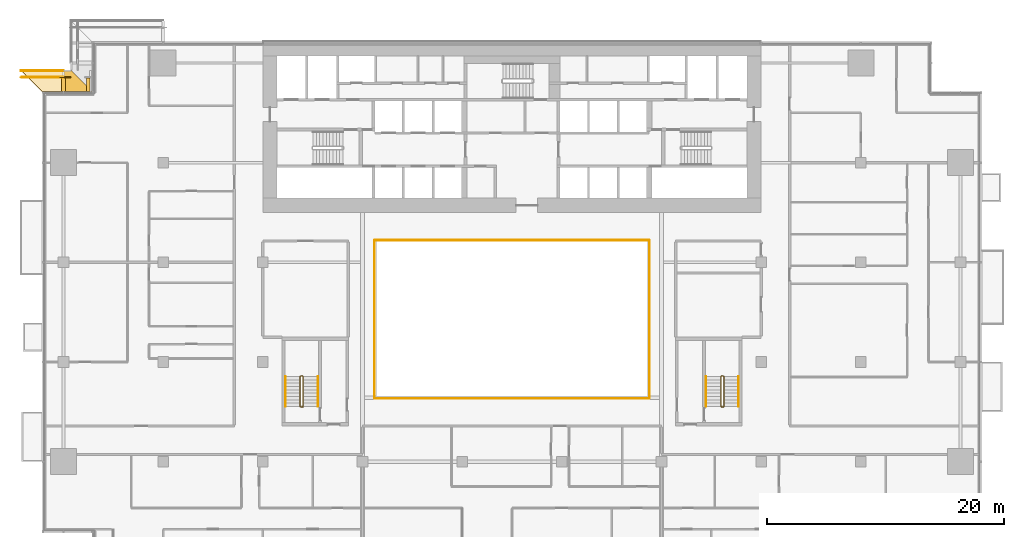
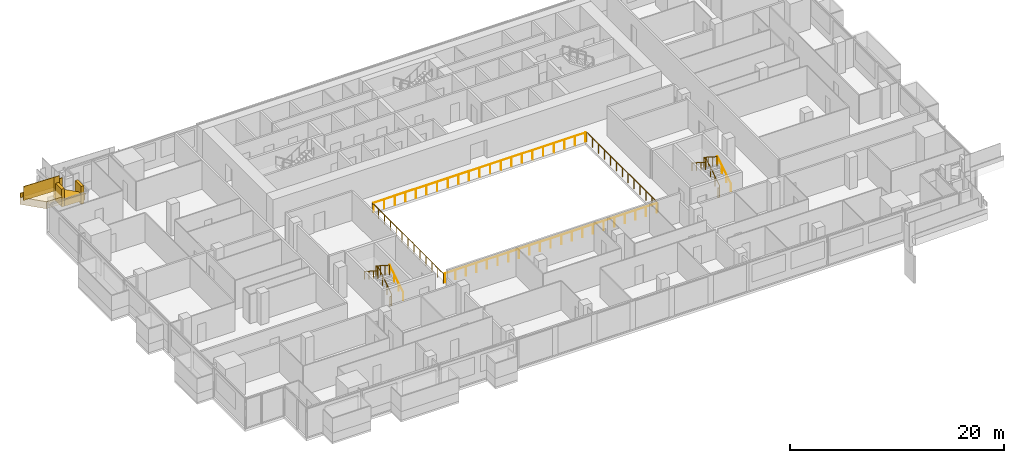
# One storey, part 25 of 29: 13 railings, 5 coverings.
"""IFC4 building model written with IfcOpenShell, lengths in metres."""

from ifc_helpers import new_model, si_unit, direction, frame, origin, origin_2d, place, context, subcontext, project, spatial, polyline, rectangle, circle, outline, extrude, material, layer, layer_set, type_object, element, save


model = new_model("IFC4")

# Units and contexts
model_context = context("Model", 3, precision=1e-05, world=origin(), true_north=direction((0.0, 1.0)))
body_context = subcontext(model_context, "Body", "Model", "MODEL_VIEW")
ifc_project = project(units=[si_unit("LENGTHUNIT", "METRE"), si_unit("AREAUNIT", "SQUARE_METRE"), si_unit("VOLUMEUNIT", "CUBIC_METRE"), si_unit("PLANEANGLEUNIT", "RADIAN"), si_unit("MASSUNIT", "GRAM", prefix="KILO")], contexts=[model_context])

# Site, building, storey
site_placement = place(None, origin())
site = spatial("IfcSite", under=ifc_project, at=site_placement, CompositionType="ELEMENT")
building_placement = place(site_placement, origin())
building = spatial("IfcBuilding", under=site, at=building_placement, Name="Saffron Gate Tower", CompositionType="ELEMENT")
storey_placement = place(building_placement, frame((0.0, 0.0, 48.0)))
storey = spatial("IfcBuildingStorey", under=building, at=storey_placement, Name="L10", CompositionType="ELEMENT", Elevation=48.0)

# Railings
ifc_material_1 = material(Name="Stainless steel and laminated glass", Category="steel")
railing_type_1 = type_object("IfcRailingType", Name="AG1 Atrium edge guard 1100", PredefinedType="GUARDRAIL", material=ifc_material_1)
railing_1_placement = place(storey_placement, frame((76.02001953125, 45.5400390625, 0.0)))
element("IfcRailing", 1, at=railing_1_placement, inside=storey, type_object=railing_type_1, Name="Guard A2-1", PredefinedType="GUARDRAIL", context=body_context, shape_type="SweptSolid", body=[
    extrude(circle(Radius=0.02392578125, at=origin_2d()), frame((0.0, 0.0, 1.076171875), z_axis=(0.0, 1.0, 0.0), x_axis=(-1.0, 0.0, 0.0)), (0.0, 0.0, 1.0), 13.320068359375),
    extrude(circle(Radius=0.02099609375, at=origin_2d()), origin(), (0.0, 0.0, 1.0), 1.052001953125),
    extrude(circle(Radius=0.02099609375, at=origin_2d()), frame((0.0, 1.110107421875, 0.0)), (0.0, 0.0, 1.0), 1.052001953125),
    extrude(circle(Radius=0.02099609375, at=origin_2d()), frame((0.0, 2.219970703125, 0.0)), (0.0, 0.0, 1.0), 1.052001953125),
    extrude(circle(Radius=0.02099609375, at=origin_2d()), frame((0.0, 3.330078125, 0.0)), (0.0, 0.0, 1.0), 1.052001953125),
    extrude(circle(Radius=0.02099609375, at=origin_2d()), frame((0.0, 4.43994140625, 0.0)), (0.0, 0.0, 1.0), 1.052001953125),
    extrude(circle(Radius=0.02099609375, at=origin_2d()), frame((0.0, 5.550048828125, 0.0)), (0.0, 0.0, 1.0), 1.052001953125),
    extrude(circle(Radius=0.02099609375, at=origin_2d()), frame((0.0, 6.66015625, 0.0)), (0.0, 0.0, 1.0), 1.052001953125),
    extrude(circle(Radius=0.02099609375, at=origin_2d()), frame((0.0, 7.77001953125, 0.0)), (0.0, 0.0, 1.0), 1.052001953125),
    extrude(circle(Radius=0.02099609375, at=origin_2d()), frame((0.0, 8.880126953125, 0.0)), (0.0, 0.0, 1.0), 1.052001953125),
    extrude(circle(Radius=0.02099609375, at=origin_2d()), frame((0.0, 9.989990234375, 0.0)), (0.0, 0.0, 1.0), 1.052001953125),
    extrude(circle(Radius=0.02099609375, at=origin_2d()), frame((0.0, 11.10009765625, 0.0)), (0.0, 0.0, 1.0), 1.052001953125),
    extrude(circle(Radius=0.02099609375, at=origin_2d()), frame((0.0, 12.2099609375, 0.0)), (0.0, 0.0, 1.0), 1.052001953125),
    extrude(circle(Radius=0.02099609375, at=origin_2d()), frame((0.0, 13.320068359375, 0.0)), (0.0, 0.0, 1.0), 1.052001953125),
])
railing_2_placement = place(storey_placement, frame((76.139892578125, 58.860107421875, 0.0)))
element("IfcRailing", 2, at=railing_2_placement, inside=storey, type_object=railing_type_1, Name="Guard A2-2", PredefinedType="GUARDRAIL", context=body_context, shape_type="SweptSolid", body=[
    extrude(circle(Radius=0.02392578125, at=origin_2d()), frame((0.0, 0.0, 1.076171875), z_axis=(1.0, 0.0, 0.0), x_axis=(0.0, 1.0, 0.0)), (0.0, 0.0, 1.0), 22.920166015625),
    extrude(circle(Radius=0.02099609375, at=origin_2d()), origin(), (0.0, 0.0, 1.0), 1.052001953125),
    extrude(circle(Radius=0.02099609375, at=origin_2d()), frame((1.14599609375, 0.0, 0.0)), (0.0, 0.0, 1.0), 1.052001953125),
    extrude(circle(Radius=0.02099609375, at=origin_2d()), frame((2.2919921875, 0.0, 0.0)), (0.0, 0.0, 1.0), 1.052001953125),
    extrude(circle(Radius=0.02099609375, at=origin_2d()), frame((3.43798828125, 0.0, 0.0)), (0.0, 0.0, 1.0), 1.052001953125),
    extrude(circle(Radius=0.02099609375, at=origin_2d()), frame((4.583984375, 0.0, 0.0)), (0.0, 0.0, 1.0), 1.052001953125),
    extrude(circle(Radius=0.02099609375, at=origin_2d()), frame((5.72998046875, 0.0, 0.0)), (0.0, 0.0, 1.0), 1.052001953125),
    extrude(circle(Radius=0.02099609375, at=origin_2d()), frame((6.8759765625, 0.0, 0.0)), (0.0, 0.0, 1.0), 1.052001953125),
    extrude(circle(Radius=0.02099609375, at=origin_2d()), frame((8.02197265625, 0.0, 0.0)), (0.0, 0.0, 1.0), 1.052001953125),
    extrude(circle(Radius=0.02099609375, at=origin_2d()), frame((9.16796875, 0.0, 0.0)), (0.0, 0.0, 1.0), 1.052001953125),
    extrude(circle(Radius=0.02099609375, at=origin_2d()), frame((10.31396484375, 0.0, 0.0)), (0.0, 0.0, 1.0), 1.052001953125),
    extrude(circle(Radius=0.02099609375, at=origin_2d()), frame((11.4599609375, 0.0, 0.0)), (0.0, 0.0, 1.0), 1.052001953125),
    extrude(circle(Radius=0.02099609375, at=origin_2d()), frame((12.606201171875, 0.0, 0.0)), (0.0, 0.0, 1.0), 1.052001953125),
    extrude(circle(Radius=0.02099609375, at=origin_2d()), frame((13.752197265625, 0.0, 0.0)), (0.0, 0.0, 1.0), 1.052001953125),
    extrude(circle(Radius=0.02099609375, at=origin_2d()), frame((14.898193359375, 0.0, 0.0)), (0.0, 0.0, 1.0), 1.052001953125),
    extrude(circle(Radius=0.02099609375, at=origin_2d()), frame((16.044189453125, 0.0, 0.0)), (0.0, 0.0, 1.0), 1.052001953125),
    extrude(circle(Radius=0.02099609375, at=origin_2d()), frame((17.190185546875, 0.0, 0.0)), (0.0, 0.0, 1.0), 1.052001953125),
    extrude(circle(Radius=0.02099609375, at=origin_2d()), frame((18.336181640625, 0.0, 0.0)), (0.0, 0.0, 1.0), 1.052001953125),
    extrude(circle(Radius=0.02099609375, at=origin_2d()), frame((19.482177734375, 0.0, 0.0)), (0.0, 0.0, 1.0), 1.052001953125),
    extrude(circle(Radius=0.02099609375, at=origin_2d()), frame((20.628173828125, 0.0, 0.0)), (0.0, 0.0, 1.0), 1.052001953125),
    extrude(circle(Radius=0.02099609375, at=origin_2d()), frame((21.774169921875, 0.0, 0.0)), (0.0, 0.0, 1.0), 1.052001953125),
    extrude(circle(Radius=0.02099609375, at=origin_2d()), frame((22.920166015625, 0.0, 0.0)), (0.0, 0.0, 1.0), 1.052001953125),
])
railing_3_placement = place(storey_placement, frame((99.179931640625, 58.860107421875, 0.0)))
element("IfcRailing", 3, at=railing_3_placement, inside=storey, type_object=railing_type_1, Name="Guard A2-3", PredefinedType="GUARDRAIL", context=body_context, shape_type="SweptSolid", body=[
    extrude(circle(Radius=0.02392578125, at=origin_2d()), frame((0.0, 0.0, 1.076171875), z_axis=(0.0, -1.0, 0.0), x_axis=(1.0, 0.0, 0.0)), (0.0, 0.0, 1.0), 13.320068359375),
    extrude(circle(Radius=0.02099609375, at=origin_2d()), origin(), (0.0, 0.0, 1.0), 1.052001953125),
    extrude(circle(Radius=0.02099609375, at=origin_2d()), frame((0.0, -1.110107421875, 0.0)), (0.0, 0.0, 1.0), 1.052001953125),
    extrude(circle(Radius=0.02099609375, at=origin_2d()), frame((0.0, -2.219970703125, 0.0)), (0.0, 0.0, 1.0), 1.052001953125),
    extrude(circle(Radius=0.02099609375, at=origin_2d()), frame((0.0, -3.330078125, 0.0)), (0.0, 0.0, 1.0), 1.052001953125),
    extrude(circle(Radius=0.02099609375, at=origin_2d()), frame((0.0, -4.43994140625, 0.0)), (0.0, 0.0, 1.0), 1.052001953125),
    extrude(circle(Radius=0.02099609375, at=origin_2d()), frame((0.0, -5.550048828125, 0.0)), (0.0, 0.0, 1.0), 1.052001953125),
    extrude(circle(Radius=0.02099609375, at=origin_2d()), frame((0.0, -6.66015625, 0.0)), (0.0, 0.0, 1.0), 1.052001953125),
    extrude(circle(Radius=0.02099609375, at=origin_2d()), frame((0.0, -7.77001953125, 0.0)), (0.0, 0.0, 1.0), 1.052001953125),
    extrude(circle(Radius=0.02099609375, at=origin_2d()), frame((0.0, -8.880126953125, 0.0)), (0.0, 0.0, 1.0), 1.052001953125),
    extrude(circle(Radius=0.02099609375, at=origin_2d()), frame((0.0, -9.989990234375, 0.0)), (0.0, 0.0, 1.0), 1.052001953125),
    extrude(circle(Radius=0.02099609375, at=origin_2d()), frame((0.0, -11.10009765625, 0.0)), (0.0, 0.0, 1.0), 1.052001953125),
    extrude(circle(Radius=0.02099609375, at=origin_2d()), frame((0.0, -12.2099609375, 0.0)), (0.0, 0.0, 1.0), 1.052001953125),
    extrude(circle(Radius=0.02099609375, at=origin_2d()), frame((0.0, -13.320068359375, 0.0)), (0.0, 0.0, 1.0), 1.052001953125),
])
railing_4_placement = place(storey_placement, frame((99.06005859375, 45.5400390625, 0.0)))
element("IfcRailing", 4, at=railing_4_placement, inside=storey, type_object=railing_type_1, Name="Guard A2-4", PredefinedType="GUARDRAIL", context=body_context, shape_type="SweptSolid", body=[
    extrude(circle(Radius=0.02392578125, at=origin_2d()), frame((0.0, 0.0, 1.076171875), z_axis=(-1.0, 0.0, 0.0), x_axis=(0.0, -1.0, 0.0)), (0.0, 0.0, 1.0), 22.920166015625),
    extrude(circle(Radius=0.02099609375, at=origin_2d()), origin(), (0.0, 0.0, 1.0), 1.052001953125),
    extrude(circle(Radius=0.02099609375, at=origin_2d()), frame((-1.14599609375, 0.0, 0.0)), (0.0, 0.0, 1.0), 1.052001953125),
    extrude(circle(Radius=0.02099609375, at=origin_2d()), frame((-2.2919921875, 0.0, 0.0)), (0.0, 0.0, 1.0), 1.052001953125),
    extrude(circle(Radius=0.02099609375, at=origin_2d()), frame((-3.43798828125, 0.0, 0.0)), (0.0, 0.0, 1.0), 1.052001953125),
    extrude(circle(Radius=0.02099609375, at=origin_2d()), frame((-4.583984375, 0.0, 0.0)), (0.0, 0.0, 1.0), 1.052001953125),
    extrude(circle(Radius=0.02099609375, at=origin_2d()), frame((-5.72998046875, 0.0, 0.0)), (0.0, 0.0, 1.0), 1.052001953125),
    extrude(circle(Radius=0.02099609375, at=origin_2d()), frame((-6.8759765625, 0.0, 0.0)), (0.0, 0.0, 1.0), 1.052001953125),
    extrude(circle(Radius=0.02099609375, at=origin_2d()), frame((-8.02197265625, 0.0, 0.0)), (0.0, 0.0, 1.0), 1.052001953125),
    extrude(circle(Radius=0.02099609375, at=origin_2d()), frame((-9.16796875, 0.0, 0.0)), (0.0, 0.0, 1.0), 1.052001953125),
    extrude(circle(Radius=0.02099609375, at=origin_2d()), frame((-10.31396484375, 0.0, 0.0)), (0.0, 0.0, 1.0), 1.052001953125),
    extrude(circle(Radius=0.02099609375, at=origin_2d()), frame((-11.4599609375, 0.0, 0.0)), (0.0, 0.0, 1.0), 1.052001953125),
    extrude(circle(Radius=0.02099609375, at=origin_2d()), frame((-12.606201171875, 0.0, 0.0)), (0.0, 0.0, 1.0), 1.052001953125),
    extrude(circle(Radius=0.02099609375, at=origin_2d()), frame((-13.752197265625, 0.0, 0.0)), (0.0, 0.0, 1.0), 1.052001953125),
    extrude(circle(Radius=0.02099609375, at=origin_2d()), frame((-14.898193359375, 0.0, 0.0)), (0.0, 0.0, 1.0), 1.052001953125),
    extrude(circle(Radius=0.02099609375, at=origin_2d()), frame((-16.044189453125, 0.0, 0.0)), (0.0, 0.0, 1.0), 1.052001953125),
    extrude(circle(Radius=0.02099609375, at=origin_2d()), frame((-17.190185546875, 0.0, 0.0)), (0.0, 0.0, 1.0), 1.052001953125),
    extrude(circle(Radius=0.02099609375, at=origin_2d()), frame((-18.336181640625, 0.0, 0.0)), (0.0, 0.0, 1.0), 1.052001953125),
    extrude(circle(Radius=0.02099609375, at=origin_2d()), frame((-19.482177734375, 0.0, 0.0)), (0.0, 0.0, 1.0), 1.052001953125),
    extrude(circle(Radius=0.02099609375, at=origin_2d()), frame((-20.628173828125, 0.0, 0.0)), (0.0, 0.0, 1.0), 1.052001953125),
    extrude(circle(Radius=0.02099609375, at=origin_2d()), frame((-21.774169921875, 0.0, 0.0)), (0.0, 0.0, 1.0), 1.052001953125),
    extrude(circle(Radius=0.02099609375, at=origin_2d()), frame((-22.920166015625, 0.0, 0.0)), (0.0, 0.0, 1.0), 1.052001953125),
])
railing_type_2 = type_object("IfcRailingType", Name="CR1 Stair guard 1100", PredefinedType="GUARDRAIL", material=ifc_material_1)
railing_5_placement = place(storey_placement, frame((69.800048828125, 44.800048828125, 0.0)))
element("IfcRailing", 5, at=railing_5_placement, inside=storey, type_object=railing_type_2, Name="L10 ST-D stair guard 1", PredefinedType="GUARDRAIL", context=body_context, shape_type="SweptSolid", body=[
    extrude(circle(Radius=0.02392578125, at=origin_2d()), frame((0.0, 0.0, 1.076171875), z_axis=(1.0, 0.0, 0.0), x_axis=(0.0, 1.0, 0.0)), (0.0, 0.0, 1.0), 0.14990234375),
    extrude(circle(Radius=0.02392578125, at=origin_2d()), frame((0.14990234375, 0.0, 1.076171875), z_axis=(0.258847668887, 0.258847668887, 0.930588936439), x_axis=(-0.707106781187, 0.707106781187, 0.0)), (0.0, 0.0, 1.0), 0.193359375),
    extrude(circle(Radius=0.02392578125, at=origin_2d()), frame((0.199951171875, 0.050048828125, 1.255859375), z_axis=(0.0, 0.841162588446, 0.540782303519), x_axis=(-1.0, 0.0, 0.0)), (0.0, 0.0, 1.0), 2.995849609375),
    extrude(circle(Radius=0.02392578125, at=origin_2d()), frame((0.199951171875, 2.570068359375, 2.8759765625), z_axis=(-0.708833529934, 0.705375805398, 0.0), x_axis=(-0.705375805398, -0.708833529934, 0.0)), (0.0, 0.0, 1.0), 0.070556640625),
    extrude(circle(Radius=0.02392578125, at=origin_2d()), frame((0.14990234375, 2.619873046875, 2.8759765625), z_axis=(-1.0, 0.0, 0.0), x_axis=(0.0, -1.0, 0.0)), (0.0, 0.0, 1.0), 0.14990234375),
    extrude(circle(Radius=0.02392578125, at=origin_2d()), frame((0.0, 2.619873046875, 2.8759765625), z_axis=(-0.258932105505, -0.257669022063, 0.930892496375), x_axis=(0.705375805398, -0.708833529934, 0.0)), (0.0, 0.0, 1.0), 0.193359375),
    extrude(circle(Radius=0.02392578125, at=origin_2d()), frame((-0.050048828125, 2.570068359375, 3.05615234375), z_axis=(0.0, -0.841162588446, 0.540782303519), x_axis=(1.0, 0.0, 0.0)), (0.0, 0.0, 1.0), 2.995849609375),
    extrude(circle(Radius=0.02099609375, at=origin_2d()), origin(), (0.0, 0.0, 1.0), 1.052001953125),
    extrude(circle(Radius=0.02099609375, at=origin_2d()), frame((0.14990234375, 0.0, 0.0)), (0.0, 0.0, 1.0), 1.052001953125),
    extrude(circle(Radius=0.02099609375, at=origin_2d()), frame((0.199951171875, 0.050048828125, 0.179931640625)), (0.0, 0.0, 1.0), 1.052001953125),
    extrude(circle(Radius=0.02099609375, at=origin_2d()), frame((0.199951171875, 0.89013671875, 0.719970703125)), (0.0, 0.0, 1.0), 1.052001953125),
    extrude(circle(Radius=0.02099609375, at=origin_2d()), frame((0.199951171875, 1.72998046875, 1.260009765625)), (0.0, 0.0, 1.0), 1.052001953125),
    extrude(circle(Radius=0.02099609375, at=origin_2d()), frame((0.199951171875, 2.570068359375, 1.800048828125)), (0.0, 0.0, 1.0), 1.052001953125),
    extrude(circle(Radius=0.02099609375, at=origin_2d()), frame((0.14990234375, 2.619873046875, 1.800048828125)), (0.0, 0.0, 1.0), 1.052001953125),
    extrude(circle(Radius=0.02099609375, at=origin_2d()), frame((0.0, 2.619873046875, 1.800048828125)), (0.0, 0.0, 1.0), 1.052001953125),
    extrude(circle(Radius=0.02099609375, at=origin_2d()), frame((-0.050048828125, 2.570068359375, 1.97998046875)), (0.0, 0.0, 1.0), 1.052001953125),
    extrude(circle(Radius=0.02099609375, at=origin_2d()), frame((-0.050048828125, 1.72998046875, 2.52001953125)), (0.0, 0.0, 1.0), 1.052001953125),
    extrude(circle(Radius=0.02099609375, at=origin_2d()), frame((-0.050048828125, 0.89013671875, 3.06005859375)), (0.0, 0.0, 1.0), 1.052001953125),
    extrude(circle(Radius=0.02099609375, at=origin_2d()), frame((-0.050048828125, 0.050048828125, 3.60009765625)), (0.0, 0.0, 1.0), 1.052001953125),
])
railing_6_placement = place(storey_placement, frame((105.25, 44.800048828125, 0.0)))
element("IfcRailing", 6, at=railing_6_placement, inside=storey, type_object=railing_type_2, Name="L10 ST-E stair guard 1", PredefinedType="GUARDRAIL", context=body_context, shape_type="SweptSolid", body=[
    extrude(circle(Radius=0.02392578125, at=origin_2d()), frame((0.0, 0.0, 1.076171875), z_axis=(1.0, 0.0, 0.0), x_axis=(0.0, 1.0, 0.0)), (0.0, 0.0, 1.0), 0.14990234375),
    extrude(circle(Radius=0.02392578125, at=origin_2d()), frame((0.14990234375, 0.0, 1.076171875), z_axis=(0.258847668887, 0.258847668887, 0.930588936439), x_axis=(-0.707106781187, 0.707106781187, 0.0)), (0.0, 0.0, 1.0), 0.193359375),
    extrude(circle(Radius=0.02392578125, at=origin_2d()), frame((0.199951171875, 0.050048828125, 1.255859375), z_axis=(0.0, 0.841162588446, 0.540782303519), x_axis=(-1.0, 0.0, 0.0)), (0.0, 0.0, 1.0), 2.995849609375),
    extrude(circle(Radius=0.02392578125, at=origin_2d()), frame((0.199951171875, 2.570068359375, 2.8759765625), z_axis=(-0.708833529934, 0.705375805398, 0.0), x_axis=(-0.705375805398, -0.708833529934, 0.0)), (0.0, 0.0, 1.0), 0.070556640625),
    extrude(circle(Radius=0.02392578125, at=origin_2d()), frame((0.14990234375, 2.619873046875, 2.8759765625), z_axis=(-1.0, 0.0, 0.0), x_axis=(0.0, -1.0, 0.0)), (0.0, 0.0, 1.0), 0.14990234375),
    extrude(circle(Radius=0.02392578125, at=origin_2d()), frame((0.0, 2.619873046875, 2.8759765625), z_axis=(-0.258932105505, -0.257669022063, 0.930892496375), x_axis=(0.705375805398, -0.708833529934, 0.0)), (0.0, 0.0, 1.0), 0.193359375),
    extrude(circle(Radius=0.02392578125, at=origin_2d()), frame((-0.050048828125, 2.570068359375, 3.05615234375), z_axis=(0.0, -0.841162588446, 0.540782303519), x_axis=(1.0, 0.0, 0.0)), (0.0, 0.0, 1.0), 2.995849609375),
    extrude(circle(Radius=0.02099609375, at=origin_2d()), origin(), (0.0, 0.0, 1.0), 1.052001953125),
    extrude(circle(Radius=0.02099609375, at=origin_2d()), frame((0.14990234375, 0.0, 0.0)), (0.0, 0.0, 1.0), 1.052001953125),
    extrude(circle(Radius=0.02099609375, at=origin_2d()), frame((0.199951171875, 0.050048828125, 0.179931640625)), (0.0, 0.0, 1.0), 1.052001953125),
    extrude(circle(Radius=0.02099609375, at=origin_2d()), frame((0.199951171875, 0.89013671875, 0.719970703125)), (0.0, 0.0, 1.0), 1.052001953125),
    extrude(circle(Radius=0.02099609375, at=origin_2d()), frame((0.199951171875, 1.72998046875, 1.260009765625)), (0.0, 0.0, 1.0), 1.052001953125),
    extrude(circle(Radius=0.02099609375, at=origin_2d()), frame((0.199951171875, 2.570068359375, 1.800048828125)), (0.0, 0.0, 1.0), 1.052001953125),
    extrude(circle(Radius=0.02099609375, at=origin_2d()), frame((0.14990234375, 2.619873046875, 1.800048828125)), (0.0, 0.0, 1.0), 1.052001953125),
    extrude(circle(Radius=0.02099609375, at=origin_2d()), frame((0.0, 2.619873046875, 1.800048828125)), (0.0, 0.0, 1.0), 1.052001953125),
    extrude(circle(Radius=0.02099609375, at=origin_2d()), frame((-0.050048828125, 2.570068359375, 1.97998046875)), (0.0, 0.0, 1.0), 1.052001953125),
    extrude(circle(Radius=0.02099609375, at=origin_2d()), frame((-0.050048828125, 1.72998046875, 2.52001953125)), (0.0, 0.0, 1.0), 1.052001953125),
    extrude(circle(Radius=0.02099609375, at=origin_2d()), frame((-0.050048828125, 0.89013671875, 3.06005859375)), (0.0, 0.0, 1.0), 1.052001953125),
    extrude(circle(Radius=0.02099609375, at=origin_2d()), frame((-0.050048828125, 0.050048828125, 3.60009765625)), (0.0, 0.0, 1.0), 1.052001953125),
])
ifc_material_2 = material(Name="Stainless steel", Category="steel")
railing_type_3 = type_object("IfcRailingType", Name="CR2 Stair handrail 900", PredefinedType="HANDRAIL", material=ifc_material_2)
railing_7_placement = place(storey_placement, frame((71.25, 44.85009765625, 0.179931640625)))
element("IfcRailing", 7, at=railing_7_placement, inside=storey, type_object=railing_type_3, Name="L10 ST-D stair handrail 1", PredefinedType="HANDRAIL", context=body_context, shape_type="SweptSolid", body=[
    extrude(circle(Radius=0.02392578125, at=origin_2d()), frame((0.0, 0.0, 0.8759765625), z_axis=(0.0, 0.841162588446, 0.540782303519), x_axis=(-1.0, 0.0, 0.0)), (0.0, 0.0, 1.0), 2.995849609375),
    extrude(circle(Radius=0.02099609375, at=origin_2d()), origin(), (0.0, 0.0, 1.0), 0.851806640625),
    extrude(circle(Radius=0.02099609375, at=origin_2d()), frame((0.0, 0.840087890625, 0.5400390625)), (0.0, 0.0, 1.0), 0.851806640625),
    extrude(circle(Radius=0.02099609375, at=origin_2d()), frame((0.0, 1.679931640625, 1.080078125)), (0.0, 0.0, 1.0), 0.851806640625),
    extrude(circle(Radius=0.02099609375, at=origin_2d()), frame((0.0, 2.52001953125, 1.6201171875)), (0.0, 0.0, 1.0), 0.851806640625),
])
railing_8_placement = place(storey_placement, frame((68.5, 47.3701171875, 1.97998046875)))
element("IfcRailing", 8, at=railing_8_placement, inside=storey, type_object=railing_type_3, Name="L10 ST-D stair handrail 2", PredefinedType="HANDRAIL", context=body_context, shape_type="SweptSolid", body=[
    extrude(circle(Radius=0.02392578125, at=origin_2d()), frame((0.0, 0.0, 0.8759765625), z_axis=(0.0, -0.841162588446, 0.540782303519), x_axis=(1.0, 0.0, 0.0)), (0.0, 0.0, 1.0), 2.995849609375),
    extrude(circle(Radius=0.02099609375, at=origin_2d()), origin(), (0.0, 0.0, 1.0), 0.851806640625),
    extrude(circle(Radius=0.02099609375, at=origin_2d()), frame((0.0, -0.840087890625, 0.5400390625)), (0.0, 0.0, 1.0), 0.851806640625),
    extrude(circle(Radius=0.02099609375, at=origin_2d()), frame((0.0, -1.679931640625, 1.080078125)), (0.0, 0.0, 1.0), 0.851806640625),
    extrude(circle(Radius=0.02099609375, at=origin_2d()), frame((0.0, -2.52001953125, 1.6201171875)), (0.0, 0.0, 1.0), 0.851806640625),
])
railing_9_placement = place(storey_placement, frame((106.699951171875, 44.85009765625, 0.179931640625)))
element("IfcRailing", 9, at=railing_9_placement, inside=storey, type_object=railing_type_3, Name="L10 ST-E stair handrail 1", PredefinedType="HANDRAIL", context=body_context, shape_type="SweptSolid", body=[
    extrude(circle(Radius=0.02392578125, at=origin_2d()), frame((0.0, 0.0, 0.8759765625), z_axis=(0.0, 0.841162588446, 0.540782303519), x_axis=(-1.0, 0.0, 0.0)), (0.0, 0.0, 1.0), 2.995849609375),
    extrude(circle(Radius=0.02099609375, at=origin_2d()), origin(), (0.0, 0.0, 1.0), 0.851806640625),
    extrude(circle(Radius=0.02099609375, at=origin_2d()), frame((0.0, 0.840087890625, 0.5400390625)), (0.0, 0.0, 1.0), 0.851806640625),
    extrude(circle(Radius=0.02099609375, at=origin_2d()), frame((0.0, 1.679931640625, 1.080078125)), (0.0, 0.0, 1.0), 0.851806640625),
    extrude(circle(Radius=0.02099609375, at=origin_2d()), frame((0.0, 2.52001953125, 1.6201171875)), (0.0, 0.0, 1.0), 0.851806640625),
])
railing_10_placement = place(storey_placement, frame((103.949951171875, 47.3701171875, 1.97998046875)))
element("IfcRailing", 10, at=railing_10_placement, inside=storey, type_object=railing_type_3, Name="L10 ST-E stair handrail 2", PredefinedType="HANDRAIL", context=body_context, shape_type="SweptSolid", body=[
    extrude(circle(Radius=0.02392578125, at=origin_2d()), frame((0.0, 0.0, 0.8759765625), z_axis=(0.0, -0.841162588446, 0.540782303519), x_axis=(1.0, 0.0, 0.0)), (0.0, 0.0, 1.0), 2.995849609375),
    extrude(circle(Radius=0.02099609375, at=origin_2d()), origin(), (0.0, 0.0, 1.0), 0.851806640625),
    extrude(circle(Radius=0.02099609375, at=origin_2d()), frame((0.0, -0.840087890625, 0.5400390625)), (0.0, 0.0, 1.0), 0.851806640625),
    extrude(circle(Radius=0.02099609375, at=origin_2d()), frame((0.0, -1.679931640625, 1.080078125)), (0.0, 0.0, 1.0), 0.851806640625),
    extrude(circle(Radius=0.02099609375, at=origin_2d()), frame((0.0, -2.52001953125, 1.6201171875)), (0.0, 0.0, 1.0), 0.851806640625),
])

# Coverings
ifc_material_3 = material(Name="Timber, thermally modified ash", Category="wood")
ifc_layer_1 = layer(ifc_material_3, 0.800048828125)
ifc_layer_set_1 = layer_set([ifc_layer_1], Name="LD1 ledge timber")
covering_type_1 = type_object("IfcCoveringType", Name="LD1 ledge timber", PredefinedType="CLADDING", material=ifc_layer_set_1)
covering_1_placement = place(storey_placement, frame((52.199951171875, 71.39990234375, 2.97802734375), z_axis=(0.028798988267, 2.8677152e-05, 0.999585222706), x_axis=(-0.999585223117, 6.17e-10, 0.028798988279)))
element("IfcCovering", 11, at=covering_1_placement, inside=storey, type_object=covering_type_1, Name="LEDGE", PredefinedType="CLADDING", context=body_context, shape_type="SweptSolid", body=[
    extrude(outline(polyline([(0.0, 0.0), (2.400896693585025, -4.235164736271502e-22), (2.400896694694882, -1.8000488273848385), (1.8007927832284332, -1.8000488292351673), (0.0, 0.0)])), origin(), (0.0, 0.0, -1.0), 0.800048828125),
])
covering_2_placement = place(storey_placement, frame((49.800048828125, 71.39990234375, 3.39013671875), z_axis=(0.028786835276, -4.5191264e-05, 0.999585572161), x_axis=(-0.999585573182, -2.041e-09, 0.028786835305)))
element("IfcCovering", 12, at=covering_2_placement, inside=storey, type_object=covering_type_1, Name="LEDGE", PredefinedType="CLADDING", context=body_context, shape_type="SweptSolid", body=[
    extrude(outline(polyline([(0.0, 0.0), (1.8007927832406818, 0.0), (3.601592590842695, -1.8000488373153904), (-3.674631647332522e-09, -1.800048826286925), (0.0, 0.0)])), origin(), (0.0, 0.0, -1.0), 0.800048828125),
])
ifc_layer_2 = layer(ifc_material_3, 0.080078125)
ifc_layer_set_2 = layer_set([ifc_layer_2], Name="LD2 ledge planter trough")
covering_type_2 = type_object("IfcCoveringType", Name="LD2 ledge planter trough", PredefinedType="CLADDING", material=ifc_layer_set_2)
covering_3_placement = place(storey_placement, frame((49.800048828125, 73.199951171875, 3.39013671875), z_axis=(0.0, 1.0, 0.0), x_axis=(-0.99958492274, 0.0, 0.028809412191)))
element("IfcCovering", 13, at=covering_3_placement, inside=storey, type_object=covering_type_2, Name="LEDGE planter trough", PredefinedType="CLADDING", context=body_context, shape_type="SweptSolid", body=[
    extrude(outline(polyline([(0.0, 0.0), (3.601592595435983, 0.0), (3.6159973015313485, 0.4997924613700232), (0.014404706095365512, 0.4997924613700232), (0.0, 0.0)])), origin(), (0.0, 0.0, -1.0), 0.080078125),
])
ifc_layer_3 = layer(ifc_material_3, 0.300048828125)
ifc_layer_set_3 = layer_set([ifc_layer_3], Name="LD3 ledge riser fin")
covering_type_3 = type_object("IfcCoveringType", Name="LD3 ledge riser fin", PredefinedType="CLADDING", material=ifc_layer_set_3)
for number, where, z_axis, x_axis, name in (
    (14, (51.89990234375, 71.9599609375, 1.8349609375), (0.0, 0.0, 1.0), (-1.0, 0.0, 0.0), "LEDGE riser fin"),
    (15, (49.800048828125, 71.9599609375, 2.2470703125), (0.0, 0.0, 1.0), (-1.0, 0.0, 0.0), "LEDGE riser fin"),
):
    element("IfcCovering", number, at=place(storey_placement, frame(where, z_axis=z_axis, x_axis=x_axis)), inside=storey, type_object=covering_type_3, Name=name, PredefinedType="CLADDING", context=body_context, shape_type="SweptSolid", body=[
        extrude(rectangle(XDim=0.300048828125, YDim=1.1201171875, at=origin_2d()), origin(), (0.0, 0.0, 1.0), 2.04296875),
    ])

# Railings
railing_type_4 = type_object("IfcRailingType", Name="LG1 ledge balustrade", PredefinedType="BALUSTRADE", material=ifc_material_3)
railing_11_placement = place(storey_placement, frame((50.39990234375, 72.60009765625, 3.02978515625)))
element("IfcRailing", 16, at=railing_11_placement, inside=storey, type_object=railing_type_4, Name="LEDGE BALUSTRADE", PredefinedType="BALUSTRADE", context=body_context, shape_type="SweptSolid", body=[
    extrude(rectangle(XDim=0.06005859375, YDim=1.60009765625, at=origin_2d()), frame((0.0, 0.0, 0.800048828125), z_axis=(-0.999582742162, 0.0, 0.028884971385), x_axis=(0.0, -1.0, 0.0)), (0.0, 0.0, 1.0), 0.60009765625),
])
railing_12_placement = place(storey_placement, frame((49.800048828125, 72.60009765625, 3.39013671875)))
element("IfcRailing", 17, at=railing_12_placement, inside=storey, type_object=railing_type_4, Name="LEDGE BALUSTRADE", PredefinedType="BALUSTRADE", context=body_context, shape_type="SweptSolid", body=[
    extrude(rectangle(XDim=0.06005859375, YDim=1.60009765625, at=origin_2d()), frame((0.0, 0.0, 0.800048828125), z_axis=(-0.99958492274, 0.0, 0.028809412191), x_axis=(0.0, -1.0, 0.0)), (0.0, 0.0, 1.0), 3.6015625),
])
railing_13_placement = place(storey_placement, frame((50.10009765625, 72.60009765625, 3.047119140625)))
element("IfcRailing", 18, at=railing_13_placement, inside=storey, type_object=railing_type_4, Name="LEDGE BALUSTRADE", PredefinedType="BALUSTRADE", context=body_context, shape_type="SweptSolid", body=[
    extrude(rectangle(XDim=0.06005859375, YDim=1.943115234375, at=origin_2d()), frame((0.0, 0.0, 0.9716796875), z_axis=(-1.0, 0.0, 0.0), x_axis=(0.0, -1.0, 0.0)), (0.0, 0.0, 1.0), 0.60009765625),
])

save(model, "model.ifc")
